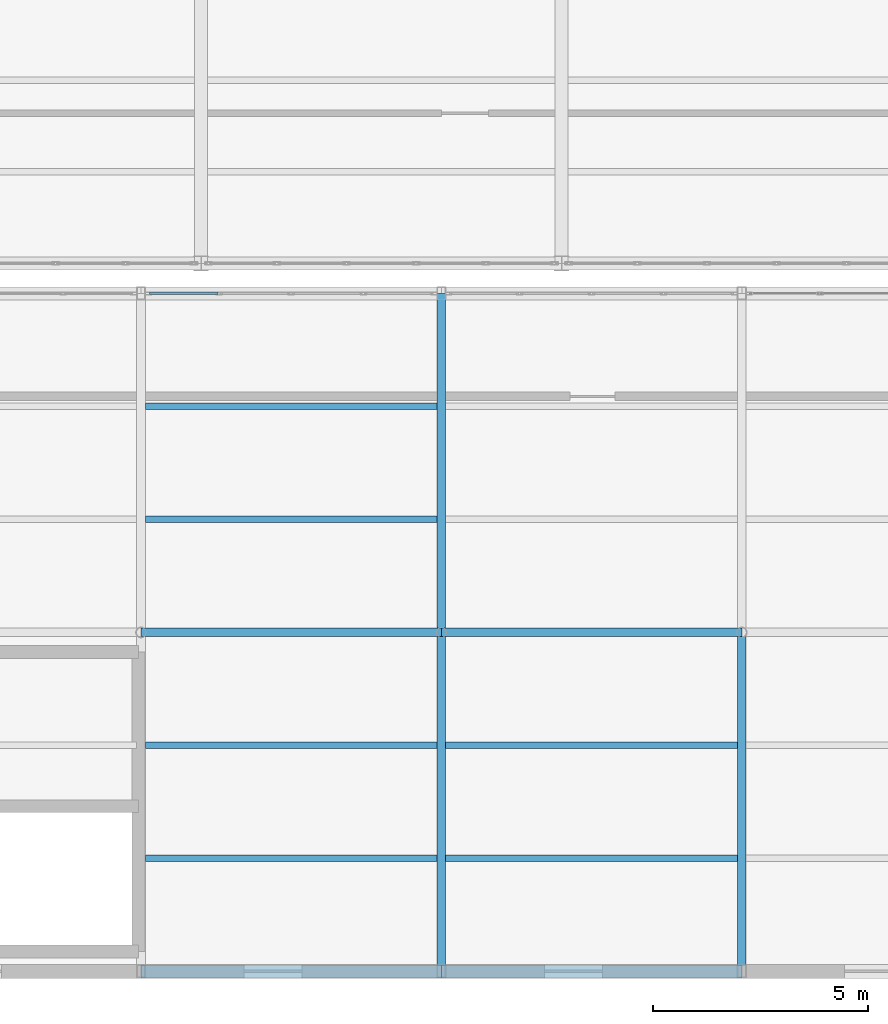
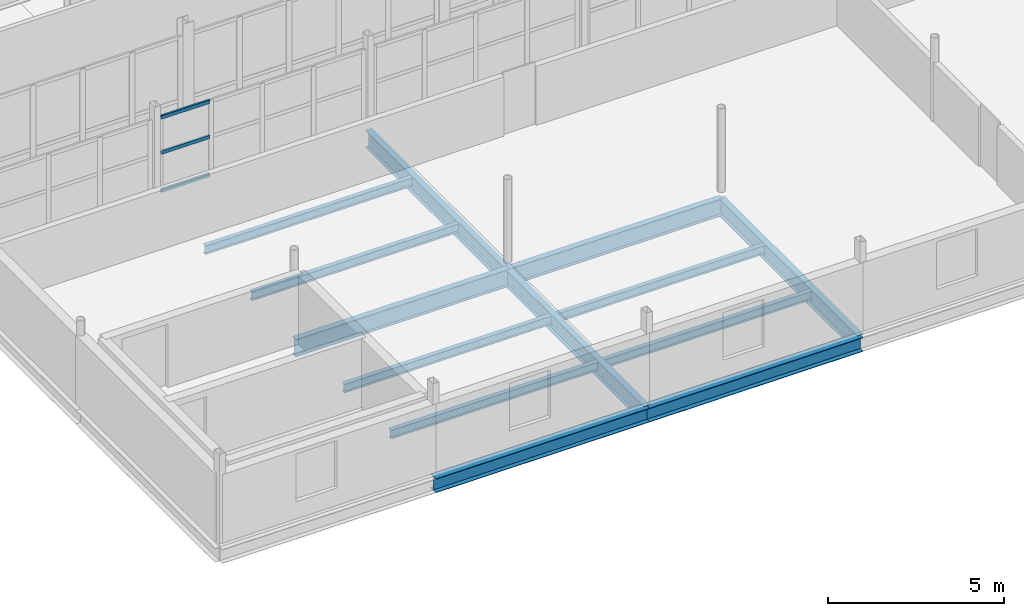
# One storey, part 69 of 218: 13 beams, 3 members, 1 element without a shape of its own.
"""IFC4 building model written with IfcOpenShell, lengths in metres."""

from ifc_helpers import new_model, si_unit, direction, frame, origin, origin_2d, place, context, subcontext, project, spatial, hollow_rectangle, i_section, extrude, material, material_profile, profile_set, type_object, element, aggregate, save


model = new_model("IFC4")

# Units and contexts
model_context = context("Model", 3, precision=1e-05, world=origin(), true_north=direction((0.0, 1.0)))
body_context = subcontext(model_context, "Body", "Model", "MODEL_VIEW")
ifc_project = project(units=[si_unit("LENGTHUNIT", "METRE"), si_unit("AREAUNIT", "SQUARE_METRE"), si_unit("VOLUMEUNIT", "CUBIC_METRE"), si_unit("PLANEANGLEUNIT", "RADIAN"), si_unit("MASSUNIT", "GRAM", prefix="KILO")], contexts=[model_context])

# Site, building, storey
site_placement = place(None, origin())
site = spatial("IfcSite", under=ifc_project, at=site_placement, CompositionType="ELEMENT")
building_placement = place(site_placement, origin())
building = spatial("IfcBuilding", under=site, at=building_placement, Name="Kazenagashi Tramway Depot", CompositionType="ELEMENT")
storey_placement = place(building_placement, frame((0.0, 0.0, 6.0)))
storey = spatial("IfcBuildingStorey", under=building, at=storey_placement, Name="L02", CompositionType="ELEMENT", Elevation=6.0)

# Beams
ifc_material_1 = material(Name="Steel SN490B", Category="steel")
ifc_material_profile_1 = material_profile(ifc_material_1, i_section(OverallWidth=0.2, OverallDepth=0.6, WebThickness=0.011, FlangeThickness=0.017, at=origin_2d()), Name="H-600x200x11x17")
ifc_profile_set_1 = profile_set([ifc_material_profile_1], Name="Steel SN490B")
beam_type_1 = type_object("IfcBeamType", Name="G-03", PredefinedType="BEAM", material=ifc_profile_set_1)
for number, where, z_axis, x_axis, name in (
    (1, (110.6, 7.9, -0.525), (1.0, 0.0, 0.0), (0.0, 1.0, 0.0), "Beam G-03 BM-1597"),
    (2, (117.6, 7.9, -0.525), (1.0, 0.0, 0.0), (0.0, 1.0, 0.0), "Beam G-03 BM-1598"),
):
    element("IfcBeam", number, at=place(storey_placement, frame(where, z_axis=z_axis, x_axis=x_axis)), inside=storey, type_object=beam_type_1, Name=name, PredefinedType="BEAM", context=body_context, shape_type="SweptSolid", body=[
        extrude(i_section(OverallWidth=0.2, OverallDepth=0.6, WebThickness=0.011, FlangeThickness=0.017, at=origin_2d()), origin(), (0.0, 0.0, 1.0), 7.0),
    ])
for number, where, z_axis, x_axis, name in (
    (3, (117.6, 0.0, -0.525), (0.0, 1.0, 0.0), (-1.0, 0.0, 0.0), "Beam G-03 BM-1619"),
    (4, (117.6, 7.9, -0.525), (0.0, 1.0, 0.0), (-1.0, 0.0, 0.0), "Beam G-03 BM-1622"),
    (5, (124.6, 0.0, -0.525), (0.0, 1.0, 0.0), (-1.0, 0.0, 0.0), "Beam G-03 BM-1625"),
):
    element("IfcBeam", number, at=place(storey_placement, frame(where, z_axis=z_axis, x_axis=x_axis)), inside=storey, type_object=beam_type_1, Name=name, PredefinedType="BEAM", context=body_context, shape_type="SweptSolid", body=[
        extrude(i_section(OverallWidth=0.2, OverallDepth=0.6, WebThickness=0.011, FlangeThickness=0.017, at=origin_2d()), origin(), (0.0, 0.0, 1.0), 7.9),
    ])
ifc_material_2 = material(Name="Steel SN400B", Category="steel")
ifc_material_profile_2 = material_profile(ifc_material_2, i_section(OverallWidth=0.15, OverallDepth=0.3, WebThickness=0.0065, FlangeThickness=0.009, at=origin_2d()), Name="H-300x150x6.5x9")
ifc_profile_set_2 = profile_set([ifc_material_profile_2], Name="Steel SN400B")
beam_type_2 = type_object("IfcBeamType", Name="J-02", PredefinedType="JOIST", material=ifc_profile_set_2)
for number, where, z_axis, x_axis, name in (
    (6, (110.7, 2.633, -0.375), (1.0, 0.0, 0.0), (0.0, 1.0, 0.0), "Beam J-02 BM-1614"),
    (7, (110.7, 5.267, -0.375), (1.0, 0.0, 0.0), (0.0, 1.0, 0.0), "Beam J-02 BM-1615"),
    (8, (110.7, 10.533, -0.375), (1.0, 0.0, 0.0), (0.0, 1.0, 0.0), "Beam J-02 BM-1617"),
    (9, (110.7, 13.167, -0.375), (1.0, 0.0, 0.0), (0.0, 1.0, 0.0), "Beam J-02 BM-1618"),
    (10, (117.7, 2.633, -0.375), (1.0, 0.0, 0.0), (0.0, 1.0, 0.0), "Beam J-02 BM-1620"),
    (11, (117.7, 5.267, -0.375), (1.0, 0.0, 0.0), (0.0, 1.0, 0.0), "Beam J-02 BM-1621"),
):
    element("IfcBeam", number, at=place(storey_placement, frame(where, z_axis=z_axis, x_axis=x_axis)), inside=storey, type_object=beam_type_2, Name=name, PredefinedType="JOIST", context=body_context, shape_type="SweptSolid", body=[
        extrude(i_section(OverallWidth=0.15, OverallDepth=0.3, WebThickness=0.0065, FlangeThickness=0.009, at=origin_2d()), origin(), (0.0, 0.0, 1.0), 6.8),
    ])
ifc_material_profile_3 = material_profile(ifc_material_1, i_section(OverallWidth=0.3, OverallDepth=0.488, WebThickness=0.011, FlangeThickness=0.018, at=origin_2d()), Name="H-488x300x11x18")
ifc_profile_set_3 = profile_set([ifc_material_profile_3], Name="Steel SN490B")
beam_type_3 = type_object("IfcBeamType", Name="SP-02", PredefinedType="SPANDREL", material=ifc_profile_set_3)
for number, where, z_axis, x_axis, name in (
    (12, (110.6, 0.0, -0.469), (1.0, 0.0, 0.0), (0.0, 1.0, 0.0), "Beam SP-02 BM-1591"),
    (13, (117.6, 0.0, -0.469), (1.0, 0.0, 0.0), (0.0, 1.0, 0.0), "Beam SP-02 BM-1592"),
):
    element("IfcBeam", number, at=place(storey_placement, frame(where, z_axis=z_axis, x_axis=x_axis)), inside=storey, type_object=beam_type_3, Name=name, PredefinedType="SPANDREL", context=body_context, shape_type="SweptSolid", body=[
        extrude(i_section(OverallWidth=0.3, OverallDepth=0.488, WebThickness=0.011, FlangeThickness=0.018, at=origin_2d()), origin(), (0.0, 0.0, 1.0), 7.0),
    ])

# Curtain wall, members
ifc_material_3 = material(Name="Anodised Aluminium and Low-E Glazing", Category="aluminium")
curtain_wall_type = type_object("IfcCurtainWallType", Name="CW-32", PredefinedType="USERDEFINED", material=ifc_material_3)
curtain_wall_placement = place(storey_placement, origin())
curtain_wall = element("IfcCurtainWall", 14, at=curtain_wall_placement, inside=storey, type_object=curtain_wall_type, Name="Industrial Glazed Screen CW-32 CW-0175", ObjectType="GLAZED SCREEN", PredefinedType="USERDEFINED")
ifc_material_4 = material(Name="Anodised Aluminium", Category="aluminium")
ifc_material_profile_4 = material_profile(ifc_material_4, hollow_rectangle(XDim=0.06, YDim=0.12, WallThickness=0.004, at=origin_2d()), Name="RHS-120x60x4")
ifc_profile_set_4 = profile_set([ifc_material_profile_4], Name="Anodised Aluminium")
member_type = type_object("IfcMemberType", Name="TR-01", PredefinedType="USERDEFINED", material=ifc_profile_set_4)
member_1_placement = place(storey_placement, frame((110.8, 15.8, 0.03), z_axis=(1.0, 0.0, 0.0), x_axis=(0.0, 1.0, 0.0)))
member_1 = element("IfcMember", 15, at=member_1_placement, type_object=member_type, Name="CW-32 transom 1.1", ObjectType="TRANSOM", PredefinedType="USERDEFINED", context=body_context, shape_type="SweptSolid", body=[
    extrude(hollow_rectangle(XDim=0.06, YDim=0.12, WallThickness=0.004, at=origin_2d()), origin(), (0.0, 0.0, 1.0), 1.59),
])
member_2_placement = place(storey_placement, frame((110.8, 15.8, 1.352), z_axis=(1.0, 0.0, 0.0), x_axis=(0.0, 1.0, 0.0)))
member_2 = element("IfcMember", 16, at=member_2_placement, type_object=member_type, Name="CW-32 transom 1.2", ObjectType="TRANSOM", PredefinedType="USERDEFINED", context=body_context, shape_type="SweptSolid", body=[
    extrude(hollow_rectangle(XDim=0.06, YDim=0.12, WallThickness=0.004, at=origin_2d()), origin(), (0.0, 0.0, 1.0), 1.59),
])
member_3_placement = place(storey_placement, frame((110.8, 15.8, 2.57), z_axis=(1.0, 0.0, 0.0), x_axis=(0.0, 1.0, 0.0)))
member_3 = element("IfcMember", 17, at=member_3_placement, type_object=member_type, Name="CW-32 transom 1.3", ObjectType="TRANSOM", PredefinedType="USERDEFINED", context=body_context, shape_type="SweptSolid", body=[
    extrude(hollow_rectangle(XDim=0.06, YDim=0.12, WallThickness=0.004, at=origin_2d()), origin(), (0.0, 0.0, 1.0), 1.59),
])
aggregate(curtain_wall, [member_1, member_2, member_3])

save(model, "model.ifc")
